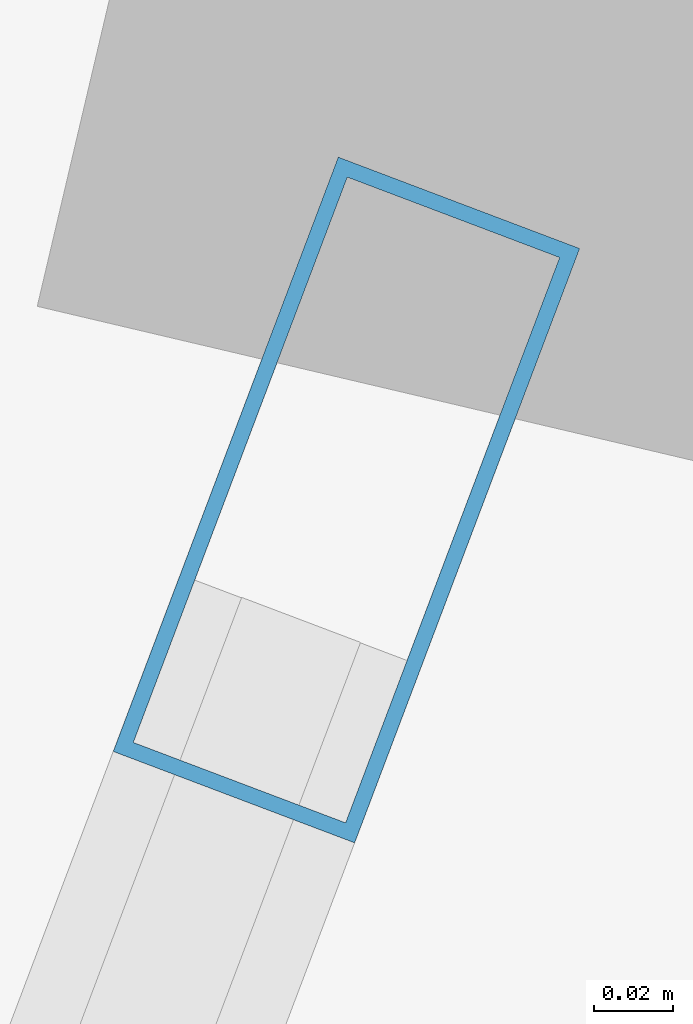
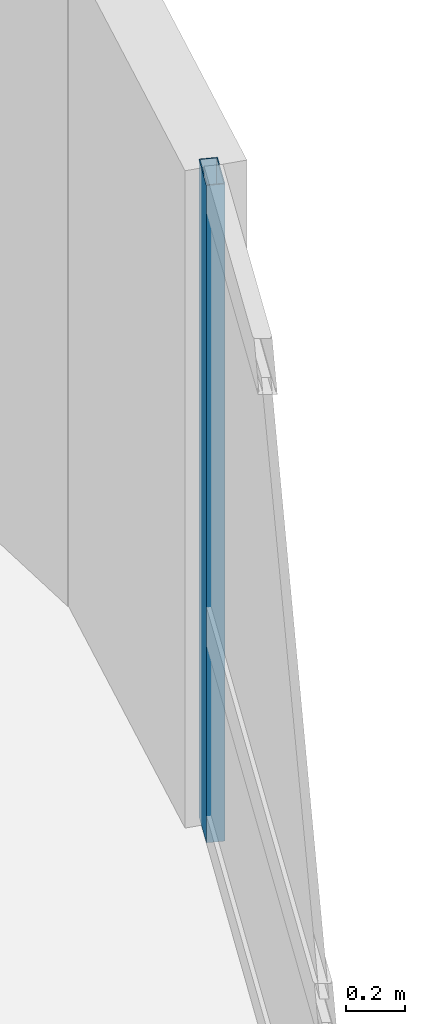
# One storey, part 15 of 24: 1 member, 1 element without a shape of its own.
"""IFC4 building model written with IfcOpenShell, lengths in metres."""

from ifc_helpers import new_model, si_unit, direction, frame, origin, origin_2d, place, context, subcontext, project, spatial, hollow_rectangle, extrude, material, layer, layer_set, material_profile, profile_set, type_object, element, aggregate, save


model = new_model("IFC4")

# Units and contexts
model_context = context("Model", 3, precision=1e-05, world=origin(), true_north=direction((0.0, 1.0)))
body_context = subcontext(model_context, "Body", "Model", "MODEL_VIEW")
ifc_project = project(units=[si_unit("LENGTHUNIT", "METRE"), si_unit("AREAUNIT", "SQUARE_METRE"), si_unit("VOLUMEUNIT", "CUBIC_METRE"), si_unit("PLANEANGLEUNIT", "RADIAN"), si_unit("MASSUNIT", "GRAM", prefix="KILO")], contexts=[model_context])

# Site, building, storey
site_placement = place(None, origin())
site = spatial("IfcSite", under=ifc_project, at=site_placement, CompositionType="ELEMENT")
building_placement = place(site_placement, origin())
building = spatial("IfcBuilding", under=site, at=building_placement, Name="Varnelok Gate Tower", CompositionType="ELEMENT")
storey_placement = place(building_placement, frame((0.0, 0.0, 87.300048828125)))
storey = spatial("IfcBuildingStorey", under=building, at=storey_placement, Name="L21", CompositionType="ELEMENT", Elevation=87.300048828125)

# Curtain wall, member
ifc_material = material(Name="Anodized Aluminum Alloy 6063-T6", Category="aluminium")
ifc_layer = layer(ifc_material, 0.179931640625)
ifc_layer_set = layer_set([ifc_layer], Name="Anodized Aluminum Alloy 6063-T6")
curtain_wall_type = type_object("IfcCurtainWallType", Name="CW3-HOTEL-VISION", PredefinedType="USERDEFINED", material=ifc_layer_set)
curtain_wall_placement = place(storey_placement, origin())
curtain_wall = element("IfcCurtainWall", 1, at=curtain_wall_placement, inside=storey, type_object=curtain_wall_type, Name="L21 East End Vision Curtain Wall", ObjectType="UNITISED CURTAIN WALL", PredefinedType="USERDEFINED")
ifc_material_profile = material_profile(ifc_material, hollow_rectangle(XDim=0.06494140625, YDim=0.159912109375, WallThickness=0.00390625, at=origin_2d()), Name="ALU160X65X4")
ifc_profile_set = profile_set([ifc_material_profile], Name="Anodized Aluminum Alloy 6063-T6")
member_type = type_object("IfcMemberType", Name="CW-MULL-160", PredefinedType="MULLION", material=ifc_profile_set)
member_placement = place(storey_placement, frame((80.443359375, 29.004638671875, 0.0), z_axis=(0.0, 0.0, 1.0), x_axis=(0.935221323688, -0.354063660545, 0.0)))
member = element("IfcMember", 2, at=member_placement, type_object=member_type, Name="CW3 mullion 1", PredefinedType="MULLION", context=body_context, shape_type="SweptSolid", body=[
    extrude(hollow_rectangle(XDim=0.06494140625, YDim=0.159912109375, WallThickness=0.00390625, at=origin_2d()), origin(), (0.0, 0.0, 1.0), 2.72998046875),
])
aggregate(curtain_wall, [member])

save(model, "model.ifc")
